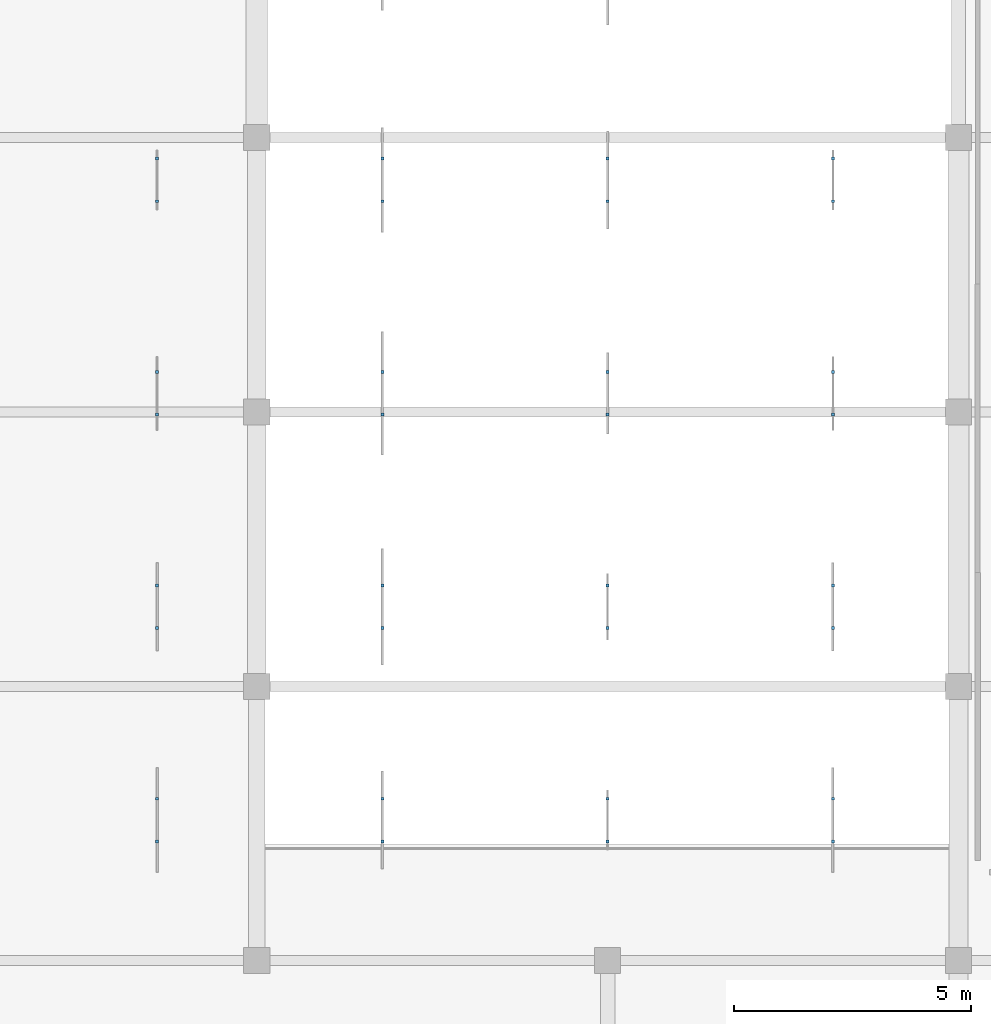
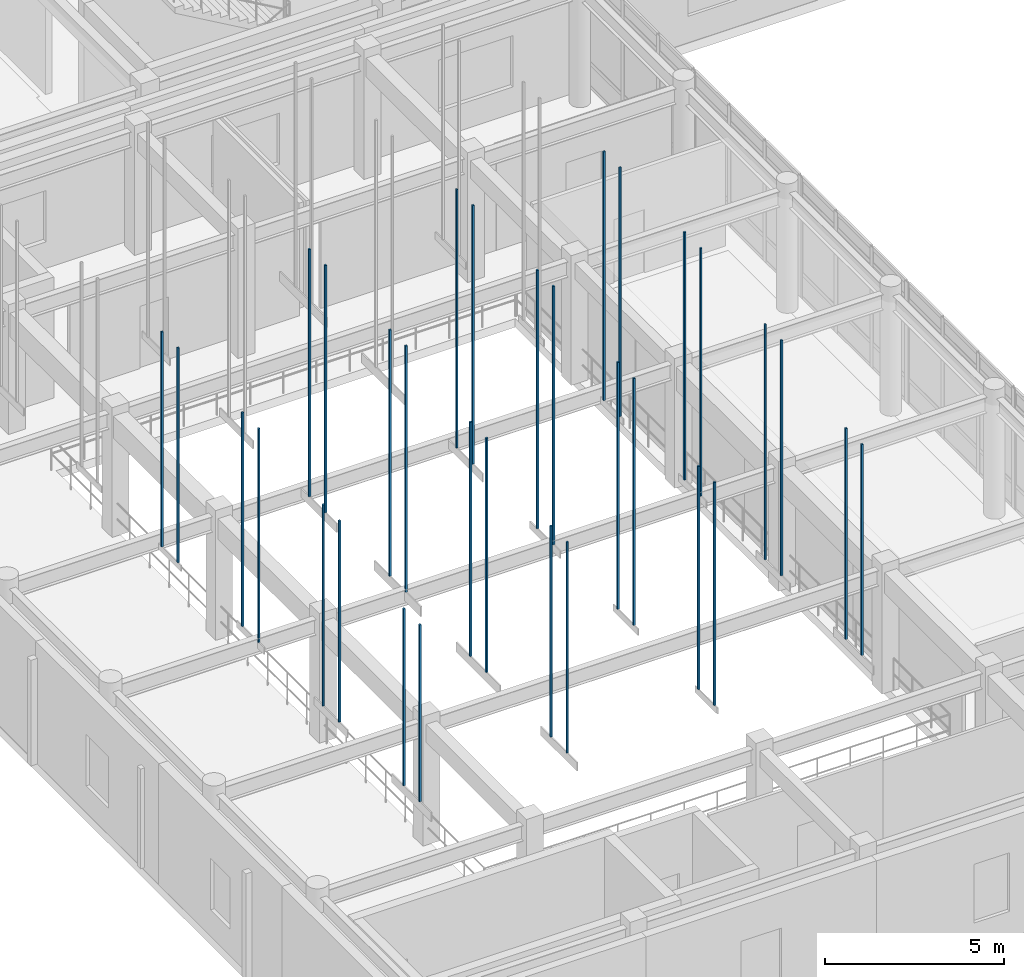
# One storey, part 130 of 142: 32 discrete accessories.
"""IFC4 building model written with IfcOpenShell, lengths in metres."""

import ifcopenshell
import ifcopenshell.guid

model = None  # the IFC model being written
_history = None  # IfcOwnerHistory: only IFC2X3 demands one
_inside = {}  # id of a spatial element -> (the spatial element, [elements in it])
_under = {}  # id of a project, library or spatial element -> (it, [spatial elements below it])
_declared = {}  # id of a project -> (the project, [libraries it declares])
_typed = {}  # id of a type object -> (the type object, [elements of that type])
_made_of = {}  # id of a material, layer set ... -> (it, [elements and type objects made of it])


def new_model(schema):
    """Start an empty IFC model of exactly this schema.

    Asked for "IFC4X3", IfcOpenShell would pick the latest addendum, in which some entities
    have other attributes; the version numbers below select the first issue.
    IFC2X3 requires an IfcOwnerHistory on every rooted entity: one is made here for all.
    """
    global model, _history
    if schema == "IFC4X3":
        model = ifcopenshell.file(schema_version=(4, 3, 0, 0))
    else:
        model = ifcopenshell.file(schema=schema)
    _inside.clear()
    _under.clear()
    _declared.clear()
    _typed.clear()
    _made_of.clear()
    _history = None
    if model.schema == "IFC2X3":
        org = make("IfcOrganization", Name="unknown")
        user = make(
            "IfcPersonAndOrganization",
            ThePerson=make("IfcPerson", FamilyName="unknown"),
            TheOrganization=org,
        )
        app = make(
            "IfcApplication",
            ApplicationDeveloper=org,
            Version="unknown",
            ApplicationFullName="unknown",
            ApplicationIdentifier="unknown",
        )
        _history = make(
            "IfcOwnerHistory",
            OwningUser=user,
            OwningApplication=app,
            ChangeAction="ADDED",
            CreationDate=0,
        )
    return model


def make(cls, **values):
    """One entity of the class cls with the attributes given. An attribute that is None is left unset."""
    return model.create_entity(
        cls, **{name: value for name, value in values.items() if value is not None}
    )


def rooted(cls, **values):
    """An entity with a GlobalId (a new one), such as an element, a storey or a relation."""
    return make(cls, GlobalId=ifcopenshell.guid.new(), OwnerHistory=_history, **values)


def si_unit(unit_type, name, prefix=None):
    """IfcSIUnit, for example si_unit("LENGTHUNIT", "METRE", prefix="MILLI")."""
    return make("IfcSIUnit", UnitType=unit_type, Prefix=prefix, Name=name)


def assignment(units):
    """IfcUnitAssignment: the units of a project."""
    return None if units is None else make("IfcUnitAssignment", Units=units)


def point(xyz):
    """IfcCartesianPoint."""
    return None if xyz is None else make("IfcCartesianPoint", Coordinates=xyz)


def direction(xyz):
    """IfcDirection."""
    return None if xyz is None else make("IfcDirection", DirectionRatios=xyz)


def frame(location, z_axis=None, x_axis=None):
    """IfcAxis2Placement3D, a coordinate frame: its origin and axes. An axis left out is left unset."""
    return make(
        "IfcAxis2Placement3D",
        Location=point(location),
        Axis=direction(z_axis),
        RefDirection=direction(x_axis),
    )


def frame_2d(location, x_axis=None):
    """IfcAxis2Placement2D, a coordinate frame in the plane: its origin and x axis."""
    return make(
        "IfcAxis2Placement2D", Location=point(location), RefDirection=direction(x_axis)
    )


def origin():
    """The frame at (0, 0, 0) with its axes left unset."""
    return frame((0.0, 0.0, 0.0))


def origin_2d():
    """The frame at (0, 0) in the plane with its x axis left unset."""
    return frame_2d((0.0, 0.0))


def place(relative_to, where):
    """IfcLocalPlacement: puts the frame where relative to a parent placement (None: the world)."""
    return make(
        "IfcLocalPlacement", PlacementRelTo=relative_to, RelativePlacement=where
    )


def context(
    kind, dimensions, precision=None, world=None, true_north=None, identifier=None
):
    """IfcGeometricRepresentationContext, for example the 3D "Model" context."""
    return make(
        "IfcGeometricRepresentationContext",
        ContextIdentifier=identifier,
        ContextType=kind,
        CoordinateSpaceDimension=dimensions,
        Precision=precision,
        WorldCoordinateSystem=world,
        TrueNorth=true_north,
    )


def subcontext(parent, identifier, kind, view, scale=None):
    """IfcGeometricRepresentationSubContext, for example "Body" below "Model"."""
    return make(
        "IfcGeometricRepresentationSubContext",
        ContextIdentifier=identifier,
        ContextType=kind,
        ParentContext=parent,
        TargetScale=scale,
        TargetView=view,
    )


def project(units=None, contexts=None):
    """IfcProject with its units and contexts."""
    return rooted(
        "IfcProject",
        Name="project",
        RepresentationContexts=contexts,
        UnitsInContext=assignment(units),
    )


def spatial(cls, under=None, at=None, **own):
    """A site, building, storey or space (cls), placed at a placement, below another one or the project."""
    s = rooted(cls, ObjectPlacement=at, **own)
    if under is not None:
        _under.setdefault(under.id(), (under, []))[1].append(s)
    return s


def profile(cls, at=None, kind="AREA", **sizes):
    """A parametric profile (cls). Its sizes go by their IFC names, for example OverallWidth=200.0."""
    return make(cls, ProfileType=kind, Position=at, **sizes)


def rectangle(**sizes):
    """IfcRectangleProfileDef."""
    return profile("IfcRectangleProfileDef", **sizes)


def extrude(swept, where, along, depth):
    """IfcExtrudedAreaSolid: the profile swept, set in the frame where, extruded along a direction by depth."""
    return make(
        "IfcExtrudedAreaSolid",
        SweptArea=swept,
        Position=where,
        ExtrudedDirection=direction(along),
        Depth=depth,
    )


def shape(context_of_items, identifier, shape_type, items):
    """IfcShapeRepresentation: the items that make up one representation, for example the "Body"."""
    return make(
        "IfcShapeRepresentation",
        ContextOfItems=context_of_items,
        RepresentationIdentifier=identifier,
        RepresentationType=shape_type,
        Items=items,
    )


def material(Name=None, Category=None):
    """IfcMaterial."""
    return make("IfcMaterial", Name=Name, Category=Category)


def layer(
    of_material, thickness, ventilated=None, Name=None, Category=None, Priority=None
):
    """IfcMaterialLayer: one layer of a wall or slab, of a material (None: an air gap)."""
    return make(
        "IfcMaterialLayer",
        Material=of_material,
        LayerThickness=thickness,
        IsVentilated=ventilated,
        Name=Name,
        Category=Category,
        Priority=Priority,
    )


def layer_set(layers, Name=None):
    """IfcMaterialLayerSet."""
    return make("IfcMaterialLayerSet", MaterialLayers=layers, LayerSetName=Name)


def made_of(thing, what):
    """Note that an element or type object is made of a material, layer set ...; save() writes the relation."""
    if what is not None:
        _made_of.setdefault(what.id(), (what, []))[1].append(thing)
    return thing


def type_object(cls, material=None, **own):
    """A type object (cls), such as IfcWallType, which elements share."""
    return made_of(rooted(cls, **own), material)


def element(
    cls,
    number,
    at=None,
    inside=None,
    cuts=None,
    type_object=None,
    material=None,
    context=None,
    identifier="Body",
    shape_type=None,
    held_by="IfcProductDefinitionShape",
    body=None,
    shapes=None,
    **own,
):
    """One element of the class cls, such as IfcWall. Its Tag is "e" and its number.

    at: its placement. inside: the storey or other place that contains it. cuts: it is an
    opening in that element (IfcRelVoidsElement). A single representation is given by context,
    identifier, shape_type and body (its items); several are given by shapes. held_by: the class
    of the entity that holds the representations. save() writes the other relations.
    """
    e = rooted(cls, Tag="e%d" % number, ObjectPlacement=at, **own)
    if body is not None:
        shapes = [shape(context, identifier, shape_type, body)]
    if shapes is not None:
        e.Representation = make(held_by, Representations=shapes)
    if inside is not None:
        _inside.setdefault(inside.id(), (inside, []))[1].append(e)
    if cuts is not None:
        rooted(
            "IfcRelVoidsElement", RelatingBuildingElement=cuts, RelatedOpeningElement=e
        )
    if type_object is not None:
        _typed.setdefault(type_object.id(), (type_object, []))[1].append(e)
    return made_of(e, material)


def aggregate(whole, parts):
    """IfcRelAggregates: a whole, such as a stair, and the parts it consists of."""
    return rooted("IfcRelAggregates", RelatingObject=whole, RelatedObjects=parts)


def save(model, path):
    """Write the relations noted so far, then the file.

    IfcRelAggregates (storeys below a building ...), IfcRelContainedInSpatialStructure (elements
    in a storey), IfcRelDefinesByType, IfcRelAssociatesMaterial and IfcRelDeclares: one each for
    every whole, place, type object, material and project.
    """
    for whole, parts in _under.values():
        aggregate(whole, parts)
    for where, things in _inside.values():
        rooted(
            "IfcRelContainedInSpatialStructure",
            RelatedElements=things,
            RelatingStructure=where,
        )
    for kind, things in _typed.values():
        rooted("IfcRelDefinesByType", RelatedObjects=things, RelatingType=kind)
    for what, things in _made_of.values():
        rooted("IfcRelAssociatesMaterial", RelatedObjects=things, RelatingMaterial=what)
    for by, libraries in _declared.values():
        rooted("IfcRelDeclares", RelatingContext=by, RelatedDefinitions=libraries)
    model.write(path)


model = new_model("IFC4")

# Units and contexts
model_context = context("Model", 3, precision=1e-05, world=origin(), true_north=direction((0.0, 1.0)))
body_context = subcontext(model_context, "Body", "Model", "MODEL_VIEW")
ifc_project = project(units=[si_unit("LENGTHUNIT", "METRE"), si_unit("AREAUNIT", "SQUARE_METRE"), si_unit("VOLUMEUNIT", "CUBIC_METRE"), si_unit("PLANEANGLEUNIT", "RADIAN"), si_unit("MASSUNIT", "GRAM", prefix="KILO")], contexts=[model_context])

# Site, building, storey
site_placement = place(None, origin())
site = spatial("IfcSite", under=ifc_project, at=site_placement, CompositionType="ELEMENT")
building_placement = place(site_placement, origin())
building = spatial("IfcBuilding", under=site, at=building_placement, Name="Valcora Specialist Clinic", CompositionType="ELEMENT")
storey_placement = place(building_placement, frame((0.0, 0.0, 5.10009765625)))
storey = spatial("IfcBuildingStorey", under=building, at=storey_placement, Name="L01", CompositionType="ELEMENT", Elevation=5.10009765625)

# Discrete accessories
ifc_material = material(Name="Stainless Steel AISI 316", Category="steel")
ifc_layer = layer(ifc_material, 0.06005859375)
ifc_layer_set = layer_set([ifc_layer], Name="Stainless Steel AISI 316")
discrete_accessory_type = type_object("IfcDiscreteAccessoryType", Name="TY-DA-HGR060", PredefinedType="BRACKET", material=ifc_layer_set)
for number, where, z_axis, x_axis, name in (
    (1, (5.5, 47.050048828125, 3.9921875), (0.0, 0.0, 1.0), (1.0, 0.0, 0.0), "Baffle suspension hanger 1A"),
    (2, (5.5, 47.949951171875, 3.9921875), (0.0, 0.0, 1.0), (1.0, 0.0, 0.0), "Baffle suspension hanger 1B"),
):
    element("IfcDiscreteAccessory", number, at=place(storey_placement, frame(where, z_axis=z_axis, x_axis=x_axis)), inside=storey, type_object=discrete_accessory_type, Name=name, PredefinedType="BRACKET", context=body_context, shape_type="SweptSolid", body=[
        extrude(rectangle(XDim=0.06005859375, YDim=0.06005859375, at=origin_2d()), origin(), (0.0, 0.0, 1.0), 6.033447265625),
    ])
for number, where, z_axis, x_axis, name in (
    (3, (5.5, 51.550048828125, 3.976806640625), (0.0, 0.0, 1.0), (1.0, 0.0, 0.0), "Baffle suspension hanger 2A"),
    (4, (5.5, 52.449951171875, 3.976806640625), (0.0, 0.0, 1.0), (1.0, 0.0, 0.0), "Baffle suspension hanger 2B"),
):
    element("IfcDiscreteAccessory", number, at=place(storey_placement, frame(where, z_axis=z_axis, x_axis=x_axis)), inside=storey, type_object=discrete_accessory_type, Name=name, PredefinedType="BRACKET", context=body_context, shape_type="SweptSolid", body=[
        extrude(rectangle(XDim=0.06005859375, YDim=0.06005859375, at=origin_2d()), origin(), (0.0, 0.0, 1.0), 6.86279296875),
    ])
for number, where, z_axis, x_axis, name in (
    (5, (5.5, 56.050048828125, 3.9619140625), (0.0, 0.0, 1.0), (1.0, 0.0, 0.0), "Baffle suspension hanger 3A"),
    (6, (5.5, 56.949951171875, 3.9619140625), (0.0, 0.0, 1.0), (1.0, 0.0, 0.0), "Baffle suspension hanger 3B"),
):
    element("IfcDiscreteAccessory", number, at=place(storey_placement, frame(where, z_axis=z_axis, x_axis=x_axis)), inside=storey, type_object=discrete_accessory_type, Name=name, PredefinedType="BRACKET", context=body_context, shape_type="SweptSolid", body=[
        extrude(rectangle(XDim=0.06005859375, YDim=0.06005859375, at=origin_2d()), origin(), (0.0, 0.0, 1.0), 7.291015625),
    ])
for number, where, z_axis, x_axis, name in (
    (7, (5.5, 60.550048828125, 3.94677734375), (0.0, 0.0, 1.0), (1.0, 0.0, 0.0), "Baffle suspension hanger 4A"),
    (8, (5.5, 61.449951171875, 3.94677734375), (0.0, 0.0, 1.0), (1.0, 0.0, 0.0), "Baffle suspension hanger 4B"),
):
    element("IfcDiscreteAccessory", number, at=place(storey_placement, frame(where, z_axis=z_axis, x_axis=x_axis)), inside=storey, type_object=discrete_accessory_type, Name=name, PredefinedType="BRACKET", context=body_context, shape_type="SweptSolid", body=[
        extrude(rectangle(XDim=0.06005859375, YDim=0.06005859375, at=origin_2d()), origin(), (0.0, 0.0, 1.0), 7.32763671875),
    ])
for number, where, z_axis, x_axis, name in (
    (9, (10.25, 47.050048828125, 3.987060546875), (0.0, 0.0, 1.0), (1.0, 0.0, 0.0), "Baffle suspension hanger 7A"),
    (10, (10.25, 47.949951171875, 3.987060546875), (0.0, 0.0, 1.0), (1.0, 0.0, 0.0), "Baffle suspension hanger 7B"),
):
    element("IfcDiscreteAccessory", number, at=place(storey_placement, frame(where, z_axis=z_axis, x_axis=x_axis)), inside=storey, type_object=discrete_accessory_type, Name=name, PredefinedType="BRACKET", context=body_context, shape_type="SweptSolid", body=[
        extrude(rectangle(XDim=0.06005859375, YDim=0.06005859375, at=origin_2d()), origin(), (0.0, 0.0, 1.0), 7.19091796875),
    ])
for number, where, z_axis, x_axis, name in (
    (11, (10.25, 51.550048828125, 4.0068359375), (0.0, 0.0, 1.0), (1.0, 0.0, 0.0), "Baffle suspension hanger 8A"),
    (12, (10.25, 52.449951171875, 4.0068359375), (0.0, 0.0, 1.0), (1.0, 0.0, 0.0), "Baffle suspension hanger 8B"),
):
    element("IfcDiscreteAccessory", number, at=place(storey_placement, frame(where, z_axis=z_axis, x_axis=x_axis)), inside=storey, type_object=discrete_accessory_type, Name=name, PredefinedType="BRACKET", context=body_context, shape_type="SweptSolid", body=[
        extrude(rectangle(XDim=0.06005859375, YDim=0.06005859375, at=origin_2d()), origin(), (0.0, 0.0, 1.0), 7.9853515625),
    ])
for number, where, z_axis, x_axis, name in (
    (13, (10.25, 56.050048828125, 4.01171875), (0.0, 0.0, 1.0), (1.0, 0.0, 0.0), "Baffle suspension hanger 9A"),
    (14, (10.25, 56.949951171875, 4.01171875), (0.0, 0.0, 1.0), (1.0, 0.0, 0.0), "Baffle suspension hanger 9B"),
):
    element("IfcDiscreteAccessory", number, at=place(storey_placement, frame(where, z_axis=z_axis, x_axis=x_axis)), inside=storey, type_object=discrete_accessory_type, Name=name, PredefinedType="BRACKET", context=body_context, shape_type="SweptSolid", body=[
        extrude(rectangle(XDim=0.06005859375, YDim=0.06005859375, at=origin_2d()), origin(), (0.0, 0.0, 1.0), 8.393310546875),
    ])
for number, where, z_axis, x_axis, name in (
    (15, (10.25, 60.550048828125, 3.991943359375), (0.0, 0.0, 1.0), (1.0, 0.0, 0.0), "Baffle suspension hanger 10A"),
    (16, (10.25, 61.449951171875, 3.991943359375), (0.0, 0.0, 1.0), (1.0, 0.0, 0.0), "Baffle suspension hanger 10B"),
):
    element("IfcDiscreteAccessory", number, at=place(storey_placement, frame(where, z_axis=z_axis, x_axis=x_axis)), inside=storey, type_object=discrete_accessory_type, Name=name, PredefinedType="BRACKET", context=body_context, shape_type="SweptSolid", body=[
        extrude(rectangle(XDim=0.06005859375, YDim=0.06005859375, at=origin_2d()), origin(), (0.0, 0.0, 1.0), 8.43505859375),
    ])
for number, where, z_axis, x_axis, name in (
    (17, (15.0, 47.050048828125, 3.94677734375), (0.0, 0.0, 1.0), (1.0, 0.0, 0.0), "Baffle suspension hanger 13A"),
    (18, (15.0, 47.949951171875, 3.94677734375), (0.0, 0.0, 1.0), (1.0, 0.0, 0.0), "Baffle suspension hanger 13B"),
):
    element("IfcDiscreteAccessory", number, at=place(storey_placement, frame(where, z_axis=z_axis, x_axis=x_axis)), inside=storey, type_object=discrete_accessory_type, Name=name, PredefinedType="BRACKET", context=body_context, shape_type="SweptSolid", body=[
        extrude(rectangle(XDim=0.06005859375, YDim=0.06005859375, at=origin_2d()), origin(), (0.0, 0.0, 1.0), 7.60546875),
    ])
for number, where, z_axis, x_axis, name in (
    (19, (15.0, 51.550048828125, 3.95166015625), (0.0, 0.0, 1.0), (1.0, 0.0, 0.0), "Baffle suspension hanger 14A"),
    (20, (15.0, 52.449951171875, 3.95166015625), (0.0, 0.0, 1.0), (1.0, 0.0, 0.0), "Baffle suspension hanger 14B"),
):
    element("IfcDiscreteAccessory", number, at=place(storey_placement, frame(where, z_axis=z_axis, x_axis=x_axis)), inside=storey, type_object=discrete_accessory_type, Name=name, PredefinedType="BRACKET", context=body_context, shape_type="SweptSolid", body=[
        extrude(rectangle(XDim=0.06005859375, YDim=0.06005859375, at=origin_2d()), origin(), (0.0, 0.0, 1.0), 8.414794921875),
    ])
for number, where, z_axis, x_axis, name in (
    (21, (15.0, 56.050048828125, 3.966796875), (0.0, 0.0, 1.0), (1.0, 0.0, 0.0), "Baffle suspension hanger 15A"),
    (22, (15.0, 56.949951171875, 3.966796875), (0.0, 0.0, 1.0), (1.0, 0.0, 0.0), "Baffle suspension hanger 15B"),
):
    element("IfcDiscreteAccessory", number, at=place(storey_placement, frame(where, z_axis=z_axis, x_axis=x_axis)), inside=storey, type_object=discrete_accessory_type, Name=name, PredefinedType="BRACKET", context=body_context, shape_type="SweptSolid", body=[
        extrude(rectangle(XDim=0.06005859375, YDim=0.06005859375, at=origin_2d()), origin(), (0.0, 0.0, 1.0), 8.81298828125),
    ])
for number, where, z_axis, x_axis, name in (
    (23, (15.0, 60.550048828125, 3.98681640625), (0.0, 0.0, 1.0), (1.0, 0.0, 0.0), "Baffle suspension hanger 16A"),
    (24, (15.0, 61.449951171875, 3.98681640625), (0.0, 0.0, 1.0), (1.0, 0.0, 0.0), "Baffle suspension hanger 16B"),
):
    element("IfcDiscreteAccessory", number, at=place(storey_placement, frame(where, z_axis=z_axis, x_axis=x_axis)), inside=storey, type_object=discrete_accessory_type, Name=name, PredefinedType="BRACKET", context=body_context, shape_type="SweptSolid", body=[
        extrude(rectangle(XDim=0.06005859375, YDim=0.06005859375, at=origin_2d()), origin(), (0.0, 0.0, 1.0), 8.814453125),
    ])
for number, where, z_axis, x_axis, name in (
    (25, (19.75, 47.050048828125, 3.991943359375), (0.0, 0.0, 1.0), (1.0, 0.0, 0.0), "Baffle suspension hanger 19A"),
    (26, (19.75, 47.949951171875, 3.991943359375), (0.0, 0.0, 1.0), (1.0, 0.0, 0.0), "Baffle suspension hanger 19B"),
):
    element("IfcDiscreteAccessory", number, at=place(storey_placement, frame(where, z_axis=z_axis, x_axis=x_axis)), inside=storey, type_object=discrete_accessory_type, Name=name, PredefinedType="BRACKET", context=body_context, shape_type="SweptSolid", body=[
        extrude(rectangle(XDim=0.06005859375, YDim=0.06005859375, at=origin_2d()), origin(), (0.0, 0.0, 1.0), 7.18603515625),
    ])
for number, where, z_axis, x_axis, name in (
    (27, (19.75, 51.550048828125, 3.97705078125), (0.0, 0.0, 1.0), (1.0, 0.0, 0.0), "Baffle suspension hanger 20A"),
    (28, (19.75, 52.449951171875, 3.97705078125), (0.0, 0.0, 1.0), (1.0, 0.0, 0.0), "Baffle suspension hanger 20B"),
):
    element("IfcDiscreteAccessory", number, at=place(storey_placement, frame(where, z_axis=z_axis, x_axis=x_axis)), inside=storey, type_object=discrete_accessory_type, Name=name, PredefinedType="BRACKET", context=body_context, shape_type="SweptSolid", body=[
        extrude(rectangle(XDim=0.06005859375, YDim=0.06005859375, at=origin_2d()), origin(), (0.0, 0.0, 1.0), 8.015380859375),
    ])
for number, where, z_axis, x_axis, name in (
    (29, (19.75, 56.050048828125, 3.9619140625), (0.0, 0.0, 1.0), (1.0, 0.0, 0.0), "Baffle suspension hanger 21A"),
    (30, (19.75, 56.949951171875, 3.9619140625), (0.0, 0.0, 1.0), (1.0, 0.0, 0.0), "Baffle suspension hanger 21B"),
):
    element("IfcDiscreteAccessory", number, at=place(storey_placement, frame(where, z_axis=z_axis, x_axis=x_axis)), inside=storey, type_object=discrete_accessory_type, Name=name, PredefinedType="BRACKET", context=body_context, shape_type="SweptSolid", body=[
        extrude(rectangle(XDim=0.06005859375, YDim=0.06005859375, at=origin_2d()), origin(), (0.0, 0.0, 1.0), 8.443359375),
    ])
for number, where, z_axis, x_axis, name in (
    (31, (19.75, 60.550048828125, 3.947021484375), (0.0, 0.0, 1.0), (1.0, 0.0, 0.0), "Baffle suspension hanger 22A"),
    (32, (19.75, 61.449951171875, 3.947021484375), (0.0, 0.0, 1.0), (1.0, 0.0, 0.0), "Baffle suspension hanger 22B"),
):
    element("IfcDiscreteAccessory", number, at=place(storey_placement, frame(where, z_axis=z_axis, x_axis=x_axis)), inside=storey, type_object=discrete_accessory_type, Name=name, PredefinedType="BRACKET", context=body_context, shape_type="SweptSolid", body=[
        extrude(rectangle(XDim=0.06005859375, YDim=0.06005859375, at=origin_2d()), origin(), (0.0, 0.0, 1.0), 8.47998046875),
    ])

save(model, "model.ifc")
